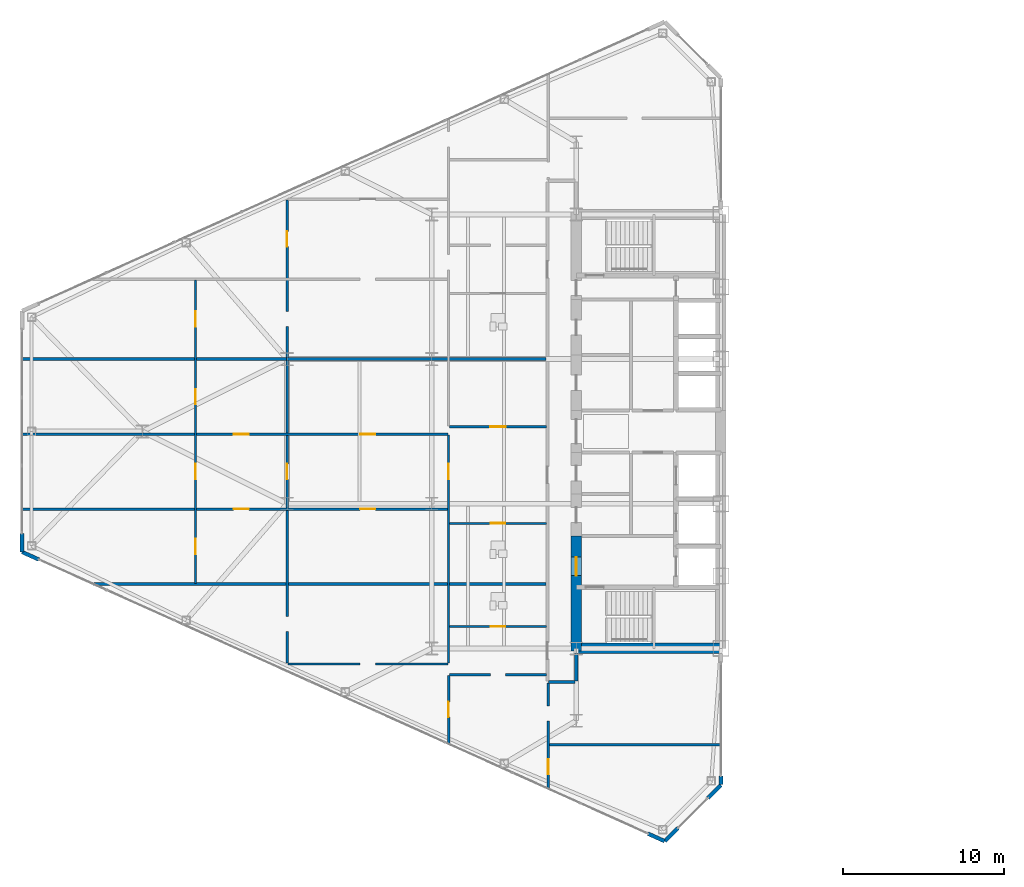
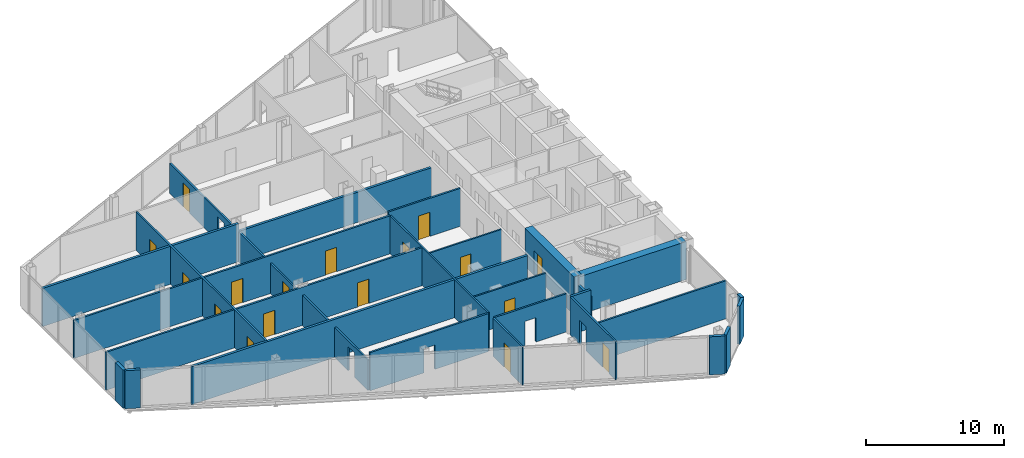
# One storey, part 19 of 27: 26 walls, 17 doors, 22 openings.
"""IFC4 building model written with IfcOpenShell, lengths in metres."""

from ifc_helpers import new_model, si_unit, direction, frame, frame_2d, origin, place, context, subcontext, project, spatial, rectangle, extrude, source, transform, mapped, material, layer, layer_set, type_object, type_shapes, element, fill, save


model = new_model("IFC4")

# Units and contexts
model_context = context("Model", 3, precision=1e-05, world=origin(), true_north=direction((0.0, 1.0)))
body_context = subcontext(model_context, "Body", "Model", "MODEL_VIEW")
ifc_project = project(units=[si_unit("LENGTHUNIT", "METRE"), si_unit("AREAUNIT", "SQUARE_METRE"), si_unit("VOLUMEUNIT", "CUBIC_METRE"), si_unit("PLANEANGLEUNIT", "RADIAN"), si_unit("MASSUNIT", "GRAM", prefix="KILO")], contexts=[model_context])

# Site, building, storey
site_placement = place(None, origin())
site = spatial("IfcSite", under=ifc_project, at=site_placement, CompositionType="ELEMENT")
building_placement = place(site_placement, origin())
building = spatial("IfcBuilding", under=site, at=building_placement, Name="Seokmaru Belvedere", CompositionType="ELEMENT")
storey_placement = place(building_placement, frame((0.0, 0.0, 69.300048828125)))
storey = spatial("IfcBuildingStorey", under=building, at=storey_placement, Name="L18", CompositionType="ELEMENT", Elevation=69.300048828125)

# Wall
ifc_material_1 = material(Name="Fire-Rated Gypsum Shaftwall")
ifc_layer_1 = layer(ifc_material_1, 0.14990234375)
ifc_layer_set_1 = layer_set([ifc_layer_1], Name="Fire-Rated Gypsum Shaftwall")
wall_type_1 = type_object("IfcWallType", Name="Apartment Fire-Acoustic Room Partition 150", PredefinedType="PARTITIONING", material=ifc_layer_set_1)
wall_1_placement = place(storey_placement, frame((-38.199951171875, -19.5, 0.0), z_axis=(0.0, 0.0, 1.0), x_axis=(1.0, 0.0, 0.0)))
element("IfcWall", 1, at=wall_1_placement, inside=storey, type_object=wall_type_1, Name="L18 Interior Partition 001", PredefinedType="PARTITIONING", context=body_context, shape_type="SweptSolid", body=[
    extrude(rectangle(XDim=10.73486328125, YDim=0.14990234375, at=frame_2d((5.367431640625, 0.0))), origin(), (0.0, 0.0, 1.0), 3.3798828125),
])

# Wall, opening
wall_2_placement = place(storey_placement, frame((-44.39990234375, -15.139892578125, 0.0), z_axis=(0.0, 0.0, 1.0), x_axis=(1.0, 0.0, 0.0)))
wall_2 = element("IfcWall", 2, at=wall_2_placement, inside=storey, type_object=wall_type_1, Name="L18 Interior Partition 004", PredefinedType="PARTITIONING", context=body_context, shape_type="SweptSolid", body=[
    extrude(rectangle(XDim=6.0498046875, YDim=0.14990234375, at=frame_2d((3.02490234375, 0.0))), origin(), (0.0, 0.0, 1.0), 3.3798828125),
])
opening_1_placement = place(wall_2_placement, frame((2.550048828125, 0.0, 0.0)))
element("IfcOpeningElement", 3, at=opening_1_placement, cuts=wall_2, Name="L18 Cased Opening 003", PredefinedType="OPENING", context=body_context, shape_type="SweptSolid", body=[
    extrude(rectangle(XDim=0.949951171875, YDim=2.14990234375, at=frame_2d((0.47509765625, 1.074951171875))), frame((0.0, 0.0849609375, 0.0), z_axis=(0.0, -1.0, 0.0), x_axis=(1.0, 0.0, 0.0)), (0.0, 0.0, 1.0), 0.169921875),
])

wall_3_placement = place(storey_placement, frame((-54.449951171875, -14.469970703125, 0.0), z_axis=(0.0, 0.0, 1.0), x_axis=(1.0, 0.0, 0.0)))
wall_3 = element("IfcWall", 4, at=wall_3_placement, inside=storey, type_object=wall_type_1, Name="L18 Interior Partition 005", PredefinedType="PARTITIONING", context=body_context, shape_type="SweptSolid", body=[
    extrude(rectangle(XDim=9.949951171875, YDim=0.14990234375, at=frame_2d((4.97509765625, 0.0))), origin(), (0.0, 0.0, 1.0), 3.3798828125),
])
opening_2_placement = place(wall_3_placement, frame((4.5, 0.0, 0.0)))
element("IfcOpeningElement", 5, at=opening_2_placement, cuts=wall_3, Name="L18 Cased Opening 007", PredefinedType="OPENING", context=body_context, shape_type="SweptSolid", body=[
    extrude(rectangle(XDim=0.949951171875, YDim=2.14990234375, at=frame_2d((0.47509765625, 1.074951171875))), frame((0.0, 0.0849609375, 0.0), z_axis=(0.0, -1.0, 0.0), x_axis=(1.0, 0.0, 0.0)), (0.0, 0.0, 1.0), 0.169921875),
])

# Wall, openings, doors
wall_4_placement = place(storey_placement, frame((-71.034912109375, -4.830078125, 0.0), z_axis=(0.0, 0.0, 1.0), x_axis=(1.0, 0.0, 0.0)))
wall_4 = element("IfcWall", 6, at=wall_4_placement, inside=storey, type_object=wall_type_1, Name="L18 Interior Partition 010", PredefinedType="PARTITIONING", context=body_context, shape_type="SweptSolid", body=[
    extrude(rectangle(XDim=26.534912109375, YDim=0.14990234375, at=frame_2d((13.267578125, 0.0))), origin(), (0.0, 0.0, 1.0), 3.3798828125),
])
opening_3_placement = place(wall_4_placement, frame((21.0849609375, 0.0, 0.0)))
opening_3 = element("IfcOpeningElement", 7, at=opening_3_placement, cuts=wall_4, Name="Opening D05", PredefinedType="OPENING", context=body_context, shape_type="SweptSolid", body=[
    extrude(rectangle(XDim=0.949951171875, YDim=2.14990234375, at=frame_2d((0.47509765625, 1.074951171875))), frame((0.0, 0.0849609375, 0.0), z_axis=(0.0, -1.0, 0.0), x_axis=(1.0, 0.0, 0.0)), (0.0, 0.0, 1.0), 0.169921875),
])
opening_4_placement = place(wall_4_placement, frame((13.2099609375, 0.0, 0.0)))
opening_4 = element("IfcOpeningElement", 8, at=opening_4_placement, cuts=wall_4, Name="Opening D05", PredefinedType="OPENING", context=body_context, shape_type="SweptSolid", body=[
    extrude(rectangle(XDim=0.949951171875, YDim=2.14990234375, at=frame_2d((0.47509765625, 1.074951171875))), frame((0.0, 0.0849609375, 0.0), z_axis=(0.0, -1.0, 0.0), x_axis=(1.0, 0.0, 0.0)), (0.0, 0.0, 1.0), 0.169921875),
])
ifc_material_2 = material(Name="Engineered White Oak Timber", Category="wood")
door_type_1 = type_object("IfcDoorType", Name="Apartment Interior Fire-Rated Oak Door 950x2150", OperationType="NOTDEFINED", PredefinedType="DOOR", material=ifc_material_2)
shared_shape_1 = source(origin(), body_context, "Body", "SweptSolid", [
    extrude(rectangle(XDim=0.949951171875, YDim=2.14990234375, at=frame_2d((0.47509765625, 1.074951171875))), frame((0.0, 0.02490234375, 0.0), z_axis=(0.0, -1.0, 0.0), x_axis=(1.0, 0.0, 0.0)), (0.0, 0.0, 1.0), 0.050048828125),
])
type_shapes(door_type_1, [shared_shape_1])
door_1_placement = place(opening_3_placement, origin())
door_1 = element("IfcDoor", 9, at=door_1_placement, inside=storey, type_object=door_type_1, Name="L18 Interior Door 014", OperationType="SINGLE_SWING_RIGHT", OverallHeight=2.14990234375, OverallWidth=0.949951171875, PredefinedType="DOOR", context=body_context, shape_type="MappedRepresentation", body=[
    mapped(shared_shape_1, transform((0.0, 0.0, 0.0), scale=1.0)),
])
fill(opening_3, door_1)
door_2_placement = place(opening_4_placement, origin())
door_2 = element("IfcDoor", 10, at=door_2_placement, inside=storey, type_object=door_type_1, Name="L18 Interior Door 016", OperationType="SINGLE_SWING_LEFT", OverallHeight=2.14990234375, OverallWidth=0.949951171875, PredefinedType="DOOR", context=body_context, shape_type="MappedRepresentation", body=[
    mapped(shared_shape_1, transform((0.0, 0.0, 0.0), scale=1.0)),
])
fill(opening_4, door_2)

wall_5_placement = place(storey_placement, frame((-71.034912109375, -0.169921875, 0.0), z_axis=(0.0, 0.0, 1.0), x_axis=(1.0, 0.0, 0.0)))
wall_5 = element("IfcWall", 11, at=wall_5_placement, inside=storey, type_object=wall_type_1, Name="L18 Interior Partition 013", PredefinedType="PARTITIONING", context=body_context, shape_type="SweptSolid", body=[
    extrude(rectangle(XDim=26.534912109375, YDim=0.14990234375, at=frame_2d((13.267578125, 0.0))), origin(), (0.0, 0.0, 1.0), 3.3798828125),
])
opening_5_placement = place(wall_5_placement, frame((21.0849609375, 0.0, 0.0)))
opening_5 = element("IfcOpeningElement", 12, at=opening_5_placement, cuts=wall_5, Name="Opening D05", PredefinedType="OPENING", context=body_context, shape_type="SweptSolid", body=[
    extrude(rectangle(XDim=0.949951171875, YDim=2.14990234375, at=frame_2d((0.47509765625, 1.074951171875))), frame((0.0, 0.0849609375, 0.0), z_axis=(0.0, -1.0, 0.0), x_axis=(1.0, 0.0, 0.0)), (0.0, 0.0, 1.0), 0.169921875),
])
opening_6_placement = place(wall_5_placement, frame((13.2099609375, 0.0, 0.0)))
opening_6 = element("IfcOpeningElement", 13, at=opening_6_placement, cuts=wall_5, Name="Opening D05", PredefinedType="OPENING", context=body_context, shape_type="SweptSolid", body=[
    extrude(rectangle(XDim=0.949951171875, YDim=2.14990234375, at=frame_2d((0.47509765625, 1.074951171875))), frame((0.0, 0.0849609375, 0.0), z_axis=(0.0, -1.0, 0.0), x_axis=(1.0, 0.0, 0.0)), (0.0, 0.0, 1.0), 0.169921875),
])
door_3_placement = place(opening_5_placement, origin())
door_3 = element("IfcDoor", 14, at=door_3_placement, inside=storey, type_object=door_type_1, Name="L18 Interior Door 015", OperationType="SINGLE_SWING_LEFT", OverallHeight=2.14990234375, OverallWidth=0.949951171875, PredefinedType="DOOR", context=body_context, shape_type="MappedRepresentation", body=[
    mapped(shared_shape_1, transform((0.0, 0.0, 0.0), scale=1.0)),
])
fill(opening_5, door_3)
door_4_placement = place(opening_6_placement, origin())
door_4 = element("IfcDoor", 15, at=door_4_placement, inside=storey, type_object=door_type_1, Name="L18 Interior Door 019", OperationType="SINGLE_SWING_LEFT", OverallHeight=2.14990234375, OverallWidth=0.949951171875, PredefinedType="DOOR", context=body_context, shape_type="MappedRepresentation", body=[
    mapped(shared_shape_1, transform((0.0, 0.0, 0.0), scale=1.0)),
])
fill(opening_6, door_4)

# Wall, opening, door
wall_6_placement = place(storey_placement, frame((-44.39990234375, 0.300048828125, 0.0), z_axis=(0.0, 0.0, 1.0), x_axis=(1.0, 0.0, 0.0)))
wall_6 = element("IfcWall", 16, at=wall_6_placement, inside=storey, type_object=wall_type_1, Name="L18 Interior Partition 014", PredefinedType="PARTITIONING", context=body_context, shape_type="SweptSolid", body=[
    extrude(rectangle(XDim=6.0498046875, YDim=0.14990234375, at=frame_2d((3.02490234375, 0.0))), origin(), (0.0, 0.0, 1.0), 3.3798828125),
])
opening_7_placement = place(wall_6_placement, frame((2.550048828125, 0.0, 0.0)))
opening_7 = element("IfcOpeningElement", 17, at=opening_7_placement, cuts=wall_6, Name="Opening D05", PredefinedType="OPENING", context=body_context, shape_type="SweptSolid", body=[
    extrude(rectangle(XDim=0.949951171875, YDim=2.14990234375, at=frame_2d((0.47509765625, 1.074951171875))), frame((0.0, 0.0849609375, 0.0), z_axis=(0.0, -1.0, 0.0), x_axis=(1.0, 0.0, 0.0)), (0.0, 0.0, 1.0), 0.169921875),
])
door_5_placement = place(opening_7_placement, origin())
door_5 = element("IfcDoor", 18, at=door_5_placement, inside=storey, type_object=door_type_1, Name="L18 Interior Door 011", OperationType="SINGLE_SWING_LEFT", OverallHeight=2.14990234375, OverallWidth=0.949951171875, PredefinedType="DOOR", context=body_context, shape_type="MappedRepresentation", body=[
    mapped(shared_shape_1, transform((0.0, 0.0, 0.0), scale=1.0)),
])
fill(opening_7, door_5)

# Wall, openings, doors
wall_7_placement = place(storey_placement, frame((-60.199951171875, -9.449951171875, 0.0), z_axis=(0.0, 0.0, 1.0), x_axis=(0.0, 1.0, 0.0)))
wall_7 = element("IfcWall", 19, at=wall_7_placement, inside=storey, type_object=wall_type_1, Name="L18 Interior Partition 033", PredefinedType="PARTITIONING", context=body_context, shape_type="SweptSolid", body=[
    extrude(rectangle(XDim=18.883056640625, YDim=0.14990234375, at=frame_2d((9.44140625, 0.0))), origin(), (0.0, 0.0, 1.0), 3.3798828125),
])
opening_8_placement = place(wall_7_placement, frame((1.808349609375, 0.0, 0.0)))
opening_8 = element("IfcOpeningElement", 20, at=opening_8_placement, cuts=wall_7, Name="Opening D05", PredefinedType="OPENING", context=body_context, shape_type="SweptSolid", body=[
    extrude(rectangle(XDim=0.949951171875, YDim=2.14990234375, at=frame_2d((0.47509765625, 1.074951171875))), frame((0.0, 0.0849609375, 0.0), z_axis=(0.0, -1.0, 0.0), x_axis=(1.0, 0.0, 0.0)), (0.0, 0.0, 1.0), 0.169921875),
])
opening_9_placement = place(wall_7_placement, frame((6.47509765625, 0.0, 0.0)))
opening_9 = element("IfcOpeningElement", 21, at=opening_9_placement, cuts=wall_7, Name="Opening D05", PredefinedType="OPENING", context=body_context, shape_type="SweptSolid", body=[
    extrude(rectangle(XDim=0.949951171875, YDim=2.14990234375, at=frame_2d((0.47509765625, 1.074951171875))), frame((0.0, 0.0849609375, 0.0), z_axis=(0.0, -1.0, 0.0), x_axis=(1.0, 0.0, 0.0)), (0.0, 0.0, 1.0), 0.169921875),
])
opening_10_placement = place(wall_7_placement, frame((11.1416015625, 0.0, 0.0)))
opening_10 = element("IfcOpeningElement", 22, at=opening_10_placement, cuts=wall_7, Name="Opening D05", PredefinedType="OPENING", context=body_context, shape_type="SweptSolid", body=[
    extrude(rectangle(XDim=0.949951171875, YDim=2.14990234375, at=frame_2d((0.47509765625, 1.074951171875))), frame((0.0, 0.0849609375, 0.0), z_axis=(0.0, -1.0, 0.0), x_axis=(1.0, 0.0, 0.0)), (0.0, 0.0, 1.0), 0.169921875),
])
opening_11_placement = place(wall_7_placement, frame((15.96630859375, 0.0, 0.0)))
opening_11 = element("IfcOpeningElement", 23, at=opening_11_placement, cuts=wall_7, Name="Opening D05", PredefinedType="OPENING", context=body_context, shape_type="SweptSolid", body=[
    extrude(rectangle(XDim=0.949951171875, YDim=2.14990234375, at=frame_2d((0.47509765625, 1.074951171875))), frame((0.0, 0.0849609375, 0.0), z_axis=(0.0, -1.0, 0.0), x_axis=(1.0, 0.0, 0.0)), (0.0, 0.0, 1.0), 0.169921875),
])
door_6_placement = place(opening_8_placement, origin())
door_6 = element("IfcDoor", 24, at=door_6_placement, inside=storey, type_object=door_type_1, Name="L18 Interior Door 017", OperationType="SINGLE_SWING_RIGHT", OverallHeight=2.14990234375, OverallWidth=0.949951171875, PredefinedType="DOOR", context=body_context, shape_type="MappedRepresentation", body=[
    mapped(shared_shape_1, transform((0.0, 0.0, 0.0), scale=1.0)),
])
fill(opening_8, door_6)
door_7_placement = place(opening_9_placement, origin())
door_7 = element("IfcDoor", 25, at=door_7_placement, inside=storey, type_object=door_type_1, Name="L18 Interior Door 018", OperationType="SINGLE_SWING_RIGHT", OverallHeight=2.14990234375, OverallWidth=0.949951171875, PredefinedType="DOOR", context=body_context, shape_type="MappedRepresentation", body=[
    mapped(shared_shape_1, transform((0.0, 0.0, 0.0), scale=1.0)),
])
fill(opening_9, door_7)
door_8_placement = place(opening_10_placement, origin())
door_8 = element("IfcDoor", 26, at=door_8_placement, inside=storey, type_object=door_type_1, Name="L18 Interior Door 020", OperationType="SINGLE_SWING_RIGHT", OverallHeight=2.14990234375, OverallWidth=0.949951171875, PredefinedType="DOOR", context=body_context, shape_type="MappedRepresentation", body=[
    mapped(shared_shape_1, transform((0.0, 0.0, 0.0), scale=1.0)),
])
fill(opening_10, door_8)
door_9_placement = place(opening_11_placement, origin())
door_9 = element("IfcDoor", 27, at=door_9_placement, inside=storey, type_object=door_type_1, Name="L18 Interior Door 029", OperationType="SINGLE_SWING_RIGHT", OverallHeight=2.14990234375, OverallWidth=0.949951171875, PredefinedType="DOOR", context=body_context, shape_type="MappedRepresentation", body=[
    mapped(shared_shape_1, transform((0.0, 0.0, 0.0), scale=1.0)),
])
fill(opening_11, door_9)

wall_8_placement = place(storey_placement, frame((-54.5, -14.424072265625, 0.0), z_axis=(0.0, 0.0, 1.0), x_axis=(0.0, 1.0, 0.0)))
wall_8 = element("IfcWall", 28, at=wall_8_placement, inside=storey, type_object=wall_type_1, Name="L18 Interior Partition 034", PredefinedType="PARTITIONING", context=body_context, shape_type="SweptSolid", body=[
    extrude(rectangle(XDim=28.839111328125, YDim=0.14990234375, at=frame_2d((14.41943359375, 0.0))), origin(), (0.0, 0.0, 1.0), 2.679931640625),
])
opening_12_placement = place(wall_8_placement, frame((1.962158203125, 0.0, 0.0)))
element("IfcOpeningElement", 29, at=opening_12_placement, cuts=wall_8, Name="L18 Cased Opening 008", PredefinedType="OPENING", context=body_context, shape_type="SweptSolid", body=[
    extrude(rectangle(XDim=0.949951171875, YDim=2.14990234375, at=frame_2d((0.47509765625, 1.074951171875))), frame((0.0, 0.0849609375, 0.0), z_axis=(0.0, -1.0, 0.0), x_axis=(1.0, 0.0, 0.0)), (0.0, 0.0, 1.0), 0.169921875),
])
opening_13_placement = place(wall_8_placement, frame((11.448974609375, 0.0, 0.0)))
opening_13 = element("IfcOpeningElement", 30, at=opening_13_placement, cuts=wall_8, Name="Opening D05", PredefinedType="OPENING", context=body_context, shape_type="SweptSolid", body=[
    extrude(rectangle(XDim=0.949951171875, YDim=2.14990234375, at=frame_2d((0.47509765625, 1.074951171875))), frame((0.0, 0.0849609375, 0.0), z_axis=(0.0, -1.0, 0.0), x_axis=(1.0, 0.0, 0.0)), (0.0, 0.0, 1.0), 0.169921875),
])
opening_14_placement = place(wall_8_placement, frame((25.922607421875, 0.0, 0.0)))
opening_14 = element("IfcOpeningElement", 31, at=opening_14_placement, cuts=wall_8, Name="Opening D05", PredefinedType="OPENING", context=body_context, shape_type="SweptSolid", body=[
    extrude(rectangle(XDim=0.949951171875, YDim=2.14990234375, at=frame_2d((0.47509765625, 1.074951171875))), frame((0.0, 0.0849609375, 0.0), z_axis=(0.0, -1.0, 0.0), x_axis=(1.0, 0.0, 0.0)), (0.0, 0.0, 1.0), 0.169921875),
])
opening_15_placement = place(wall_8_placement, frame((20.940185546875, 0.0, 0.0)))
element("IfcOpeningElement", 32, at=opening_15_placement, cuts=wall_8, Name="L18 Cased Opening 028", PredefinedType="OPENING", context=body_context, shape_type="SweptSolid", body=[
    extrude(rectangle(XDim=0.949951171875, YDim=2.14990234375, at=frame_2d((0.47509765625, 1.074951171875))), frame((0.0, 0.0849609375, 0.0), z_axis=(0.0, -1.0, 0.0), x_axis=(1.0, 0.0, 0.0)), (0.0, 0.0, 1.0), 0.169921875),
])
door_10_placement = place(opening_13_placement, origin())
door_10 = element("IfcDoor", 33, at=door_10_placement, inside=storey, type_object=door_type_1, Name="L18 Interior Door 013", OperationType="SINGLE_SWING_LEFT", OverallHeight=2.14990234375, OverallWidth=0.949951171875, PredefinedType="DOOR", context=body_context, shape_type="MappedRepresentation", body=[
    mapped(shared_shape_1, transform((0.0, 0.0, 0.0), scale=1.0)),
])
fill(opening_13, door_10)
door_11_placement = place(opening_14_placement, origin())
door_11 = element("IfcDoor", 34, at=door_11_placement, inside=storey, type_object=door_type_1, Name="L18 Interior Door 025", OperationType="SINGLE_SWING_RIGHT", OverallHeight=2.14990234375, OverallWidth=0.949951171875, PredefinedType="DOOR", context=body_context, shape_type="MappedRepresentation", body=[
    mapped(shared_shape_1, transform((0.0, 0.0, 0.0), scale=1.0)),
])
fill(opening_14, door_11)

# Wall, opening, door
wall_9_placement = place(storey_placement, frame((-44.449951171875, -19.48291015625, 0.0), z_axis=(0.0, 0.0, 1.0), x_axis=(0.0, 1.0, 0.0)))
wall_9 = element("IfcWall", 35, at=wall_9_placement, inside=storey, type_object=wall_type_1, Name="L18 Interior Partition 035", PredefinedType="PARTITIONING", context=body_context, shape_type="SweptSolid", body=[
    extrude(rectangle(XDim=4.287841796875, YDim=0.14990234375, at=frame_2d((2.14404296875, 0.0))), origin(), (0.0, 0.0, 1.0), 3.3798828125),
])
opening_16_placement = place(wall_9_placement, frame((1.711669921875, 0.0, 0.0)))
opening_16 = element("IfcOpeningElement", 36, at=opening_16_placement, cuts=wall_9, Name="Opening D05", PredefinedType="OPENING", context=body_context, shape_type="SweptSolid", body=[
    extrude(rectangle(XDim=0.949951171875, YDim=2.14990234375, at=frame_2d((0.47509765625, 1.074951171875))), frame((0.0, 0.0849609375, 0.0), z_axis=(0.0, -1.0, 0.0), x_axis=(1.0, 0.0, 0.0)), (0.0, 0.0, 1.0), 0.169921875),
])
door_12_placement = place(opening_16_placement, origin())
door_12 = element("IfcDoor", 37, at=door_12_placement, inside=storey, type_object=door_type_1, Name="L18 Interior Door 004", OperationType="SINGLE_SWING_RIGHT", OverallHeight=2.14990234375, OverallWidth=0.949951171875, PredefinedType="DOOR", context=body_context, shape_type="MappedRepresentation", body=[
    mapped(shared_shape_1, transform((0.0, 0.0, 0.0), scale=1.0)),
])
fill(opening_16, door_12)

# Wall, openings, door
wall_10_placement = place(storey_placement, frame((-38.25, -22.27294921875, 0.0), z_axis=(0.0, 0.0, 1.0), x_axis=(0.0, 1.0, 0.0)))
wall_10 = element("IfcWall", 38, at=wall_10_placement, inside=storey, type_object=wall_type_1, Name="L18 Interior Partition 039", PredefinedType="PARTITIONING", context=body_context, shape_type="SweptSolid", body=[
    extrude(rectangle(XDim=6.623046875, YDim=0.14990234375, at=frame_2d((3.3115234375, 0.0))), origin(), (0.0, 0.0, 1.0), 3.3798828125),
])
opening_17_placement = place(wall_10_placement, frame((0.92919921875, 0.0, 0.0)))
opening_17 = element("IfcOpeningElement", 39, at=opening_17_placement, cuts=wall_10, Name="Opening D05", PredefinedType="OPENING", context=body_context, shape_type="SweptSolid", body=[
    extrude(rectangle(XDim=0.949951171875, YDim=2.14990234375, at=frame_2d((0.47509765625, 1.074951171875))), frame((0.0, 0.0849609375, 0.0), z_axis=(0.0, -1.0, 0.0), x_axis=(1.0, 0.0, 0.0)), (0.0, 0.0, 1.0), 0.169921875),
])
opening_18_placement = place(wall_10_placement, frame((4.248046875, 0.0, 0.0)))
element("IfcOpeningElement", 40, at=opening_18_placement, cuts=wall_10, Name="L18 Cased Opening 006", PredefinedType="OPENING", context=body_context, shape_type="SweptSolid", body=[
    extrude(rectangle(XDim=0.949951171875, YDim=2.14990234375, at=frame_2d((0.47509765625, 1.074951171875))), frame((0.0, 0.0849609375, 0.0), z_axis=(0.0, -1.0, 0.0), x_axis=(1.0, 0.0, 0.0)), (0.0, 0.0, 1.0), 0.169921875),
])
door_13_placement = place(opening_17_placement, origin())
door_13 = element("IfcDoor", 41, at=door_13_placement, inside=storey, type_object=door_type_1, Name="L18 Interior Door 005", OperationType="SINGLE_SWING_LEFT", OverallHeight=2.14990234375, OverallWidth=0.949951171875, PredefinedType="DOOR", context=body_context, shape_type="MappedRepresentation", body=[
    mapped(shared_shape_1, transform((0.0, 0.0, 0.0), scale=1.0)),
])
fill(opening_17, door_13)

# Walls
ifc_layer_2 = layer(ifc_material_1, 0.199951171875)
ifc_layer_set_2 = layer_set([ifc_layer_2], Name="Fire-Rated Gypsum Shaftwall")
wall_type_2 = type_object("IfcWallType", Name="Inter-Tenancy Fire Compartment Partition 200", PredefinedType="PARTITIONING", material=ifc_layer_set_2)
wall_11_placement = place(storey_placement, frame((-38.215087890625, -15.60009765625, 0.0), z_axis=(0.0, 0.0, 1.0), x_axis=(1.0, 0.0, 0.0)))
element("IfcWall", 42, at=wall_11_placement, inside=storey, type_object=wall_type_2, Name="L18 Interior Partition 002", PredefinedType="PARTITIONING", context=body_context, shape_type="SweptSolid", body=[
    extrude(rectangle(XDim=1.630126953125, YDim=0.199951171875, at=frame_2d((0.81494140625, 0.0))), origin(), (0.0, 0.0, 1.0), 3.3798828125),
])
wall_12_placement = place(storey_placement, frame((-66.568115234375, -9.5, 0.0), z_axis=(0.0, 0.0, 1.0), x_axis=(1.0, 0.0, 0.0)))
element("IfcWall", 43, at=wall_12_placement, inside=storey, type_object=wall_type_2, Name="L18 Interior Partition 007", PredefinedType="PARTITIONING", context=body_context, shape_type="SweptSolid", body=[
    extrude(rectangle(XDim=28.188232421875, YDim=0.199951171875, at=frame_2d((14.09423828125, 0.0))), origin(), (0.0, 0.0, 1.0), 3.3798828125),
])
wall_13_placement = place(storey_placement, frame((-71.0048828125, 4.5, 0.0), z_axis=(0.0, 0.0, 1.0), x_axis=(1.0, 0.0, 0.0)))
element("IfcWall", 44, at=wall_13_placement, inside=storey, type_object=wall_type_2, Name="L18 Interior Partition 017", PredefinedType="PARTITIONING", context=body_context, shape_type="SweptSolid", body=[
    extrude(rectangle(XDim=16.48486328125, YDim=0.199951171875, at=frame_2d((8.242431640625, 0.0))), origin(), (0.0, 0.0, 1.0), 3.3798828125),
])
wall_14_placement = place(storey_placement, frame((-54.52001953125, 4.5, 0.0), z_axis=(0.0, 0.0, 1.0), x_axis=(1.0, 0.0, 0.0)))
element("IfcWall", 45, at=wall_14_placement, inside=storey, type_object=wall_type_2, Name="L18 Interior Partition 017 Part 2", PredefinedType="PARTITIONING", context=body_context, shape_type="SweptSolid", body=[
    extrude(rectangle(XDim=16.14013671875, YDim=0.199951171875, at=frame_2d((8.070068359375, 0.0))), origin(), (0.0, 0.0, 1.0), 2.679931640625),
])
wall_15_placement = place(storey_placement, frame((-36.5, -15.514892578125, 0.0), z_axis=(0.0, 0.0, 1.0), x_axis=(0.0, 1.0, 0.0)))
element("IfcWall", 46, at=wall_15_placement, inside=storey, type_object=wall_type_2, Name="L18 Interior Partition 041", PredefinedType="PARTITIONING", context=body_context, shape_type="SweptSolid", body=[
    extrude(rectangle(XDim=1.684814453125, YDim=0.199951171875, at=frame_2d((0.84228515625, 0.0))), origin(), (0.0, 0.0, 1.0), 2.679931640625),
])
ifc_material_3 = material(Name="Concrete C60 (60 MPa)", Category="concrete")
ifc_layer_3 = layer(ifc_material_3, 0.64990234375)
ifc_layer_set_3 = layer_set([ifc_layer_3], Name="Concrete C60 (60 MPa)")
wall_type_3 = type_object("IfcWallType", Name="Mid-Low Reinforced Concrete Core Wall 650", PredefinedType="SHEAR", material=ifc_layer_set_3)
wall_16_placement = place(storey_placement, frame((-36.5, -13.5, 0.0), z_axis=(0.0, 0.0, 1.0), x_axis=(1.0, 0.0, 0.0)))
element("IfcWall", 47, at=wall_16_placement, inside=storey, type_object=wall_type_3, Name="L18 West South Core Wall", PredefinedType="SHEAR", context=body_context, shape_type="SweptSolid", body=[
    extrude(rectangle(XDim=9.0, YDim=0.64990234375, at=frame_2d((4.5, 0.0))), origin(), (0.0, 0.0, 1.0), 3.3798828125),
])

# Wall, opening, door
wall_17_placement = place(storey_placement, frame((-36.5, -13.64990234375, 0.0), z_axis=(0.0, 0.0, 1.0), x_axis=(0.0, 1.0, 0.0)))
wall_17 = element("IfcWall", 48, at=wall_17_placement, inside=storey, type_object=wall_type_3, Name="L18 West West Core Wall FF", PredefinedType="SHEAR", context=body_context, shape_type="SweptSolid", body=[
    extrude(rectangle(XDim=7.14990234375, YDim=0.64990234375, at=frame_2d((3.574951171875, 0.0))), origin(), (0.0, 0.0, 1.0), 3.3798828125),
])
opening_19_placement = place(wall_17_placement, frame((4.675048828125, 0.0, 0.0)))
opening_19 = element("IfcOpeningElement", 49, at=opening_19_placement, cuts=wall_17, Name="Opening D02", PredefinedType="OPENING", context=body_context, shape_type="SweptSolid", body=[
    extrude(rectangle(XDim=1.14990234375, YDim=2.199951171875, at=frame_2d((0.574951171875, 1.10009765625))), frame((0.0, 0.3349609375, 0.0), z_axis=(0.0, -1.0, 0.0), x_axis=(1.0, 0.0, 0.0)), (0.0, 0.0, 1.0), 0.669921875),
])
ifc_material_4 = material(Name="Fire-Rated Steel Leaf", Category="steel")
door_type_2 = type_object("IfcDoorType", Name="Lobby and Vestibule Fire Door 1150x2200", OperationType="NOTDEFINED", PredefinedType="DOOR", material=ifc_material_4)
shared_shape_2 = source(origin(), body_context, "Body", "SweptSolid", [
    extrude(rectangle(XDim=1.14990234375, YDim=2.199951171875, at=frame_2d((0.574951171875, 1.10009765625))), frame((0.0, 0.02490234375, 0.0), z_axis=(0.0, -1.0, 0.0), x_axis=(1.0, 0.0, 0.0)), (0.0, 0.0, 1.0), 0.050048828125),
])
type_shapes(door_type_2, [shared_shape_2])
door_14_placement = place(opening_19_placement, frame((1.14990234375, 0.0, 0.0), z_axis=(0.0, 0.0, 1.0), x_axis=(-1.0, 0.0, 0.0)))
door_14 = element("IfcDoor", 50, at=door_14_placement, inside=storey, type_object=door_type_2, Name="L18 West Firefighting Lobby Door", OperationType="SINGLE_SWING_LEFT", OverallHeight=2.199951171875, OverallWidth=1.14990234375, PredefinedType="DOOR", context=body_context, shape_type="MappedRepresentation", body=[
    mapped(shared_shape_2, transform((0.0, 0.0, 0.0), scale=1.0)),
])
fill(opening_19, door_14)

ifc_layer_4 = layer(ifc_material_1, 0.1298828125)
ifc_layer_set_4 = layer_set([ifc_layer_4], Name="Fire-Rated Gypsum Shaftwall")
wall_type_4 = type_object("IfcWallType", Name="Moisture-Resistant Fire-Rated Bathroom Partition 130", PredefinedType="PARTITIONING", material=ifc_layer_set_4)
wall_18_placement = place(storey_placement, frame((-44.39990234375, -12.139892578125, 0.0), z_axis=(0.0, 0.0, 1.0), x_axis=(1.0, 0.0, 0.0)))
wall_18 = element("IfcWall", 51, at=wall_18_placement, inside=storey, type_object=wall_type_4, Name="L18 Interior Partition 006", PredefinedType="PARTITIONING", context=body_context, shape_type="SweptSolid", body=[
    extrude(rectangle(XDim=6.0498046875, YDim=0.1298828125, at=frame_2d((3.02490234375, 0.0))), origin(), (0.0, 0.0, 1.0), 3.3798828125),
])
opening_20_placement = place(wall_18_placement, frame((2.5849609375, 0.0, 0.0)))
opening_20 = element("IfcOpeningElement", 52, at=opening_20_placement, cuts=wall_18, Name="Opening D06", PredefinedType="OPENING", context=body_context, shape_type="SweptSolid", body=[
    extrude(rectangle(XDim=0.8798828125, YDim=2.10009765625, at=frame_2d((0.43994140625, 1.050048828125))), frame((0.0, 0.074951171875, 0.0), z_axis=(0.0, -1.0, 0.0), x_axis=(1.0, 0.0, 0.0)), (0.0, 0.0, 1.0), 0.14990234375),
])
door_type_3 = type_object("IfcDoorType", Name="Bathroom and Restroom Fire-Rated Door 880x2100", OperationType="NOTDEFINED", PredefinedType="DOOR", material=ifc_material_2)
shared_shape_3 = source(origin(), body_context, "Body", "SweptSolid", [
    extrude(rectangle(XDim=0.8798828125, YDim=2.10009765625, at=frame_2d((0.43994140625, 1.050048828125))), frame((0.0, 0.02490234375, 0.0), z_axis=(0.0, -1.0, 0.0), x_axis=(1.0, 0.0, 0.0)), (0.0, 0.0, 1.0), 0.050048828125),
])
type_shapes(door_type_3, [shared_shape_3])
door_15_placement = place(opening_20_placement, origin())
door_15 = element("IfcDoor", 53, at=door_15_placement, inside=storey, type_object=door_type_3, Name="L18 Interior Door 002", OperationType="SINGLE_SWING_LEFT", OverallHeight=2.10009765625, OverallWidth=0.8798828125, PredefinedType="DOOR", context=body_context, shape_type="MappedRepresentation", body=[
    mapped(shared_shape_3, transform((0.0, 0.0, 0.0), scale=1.0)),
])
fill(opening_20, door_15)

wall_19_placement = place(storey_placement, frame((-44.39990234375, -5.719970703125, 0.0), z_axis=(0.0, 0.0, 1.0), x_axis=(1.0, 0.0, 0.0)))
wall_19 = element("IfcWall", 54, at=wall_19_placement, inside=storey, type_object=wall_type_4, Name="L18 Interior Partition 009", PredefinedType="PARTITIONING", context=body_context, shape_type="SweptSolid", body=[
    extrude(rectangle(XDim=6.0498046875, YDim=0.1298828125, at=frame_2d((3.02490234375, 0.0))), origin(), (0.0, 0.0, 1.0), 3.3798828125),
])
opening_21_placement = place(wall_19_placement, frame((2.5849609375, 0.0, 0.0)))
opening_21 = element("IfcOpeningElement", 55, at=opening_21_placement, cuts=wall_19, Name="Opening D06", PredefinedType="OPENING", context=body_context, shape_type="SweptSolid", body=[
    extrude(rectangle(XDim=0.8798828125, YDim=2.10009765625, at=frame_2d((0.43994140625, 1.050048828125))), frame((0.0, 0.074951171875, 0.0), z_axis=(0.0, -1.0, 0.0), x_axis=(1.0, 0.0, 0.0)), (0.0, 0.0, 1.0), 0.14990234375),
])
door_16_placement = place(opening_21_placement, origin())
door_16 = element("IfcDoor", 56, at=door_16_placement, inside=storey, type_object=door_type_3, Name="L18 Interior Door 010", OperationType="SINGLE_SWING_LEFT", OverallHeight=2.10009765625, OverallWidth=0.8798828125, PredefinedType="DOOR", context=body_context, shape_type="MappedRepresentation", body=[
    mapped(shared_shape_3, transform((0.0, 0.0, 0.0), scale=1.0)),
])
fill(opening_21, door_16)

wall_20_placement = place(storey_placement, frame((-44.449951171875, -14.424072265625, 0.0), z_axis=(0.0, 0.0, 1.0), x_axis=(0.0, 1.0, 0.0)))
wall_20 = element("IfcWall", 57, at=wall_20_placement, inside=storey, type_object=wall_type_4, Name="L18 Interior Partition 036", PredefinedType="PARTITIONING", context=body_context, shape_type="SweptSolid", body=[
    extrude(rectangle(XDim=14.20703125, YDim=0.1298828125, at=frame_2d((7.103515625, 0.0))), origin(), (0.0, 0.0, 1.0), 3.3798828125),
])
opening_22_placement = place(wall_20_placement, frame((11.448974609375, 0.0, 0.0)))
opening_22 = element("IfcOpeningElement", 58, at=opening_22_placement, cuts=wall_20, Name="Opening D05", PredefinedType="OPENING", context=body_context, shape_type="SweptSolid", body=[
    extrude(rectangle(XDim=0.949951171875, YDim=2.14990234375, at=frame_2d((0.47509765625, 1.074951171875))), frame((0.0, 0.074951171875, 0.0), z_axis=(0.0, -1.0, 0.0), x_axis=(1.0, 0.0, 0.0)), (0.0, 0.0, 1.0), 0.14990234375),
])
door_17_placement = place(opening_22_placement, origin())
door_17 = element("IfcDoor", 59, at=door_17_placement, inside=storey, type_object=door_type_1, Name="L18 Interior Door 012", OperationType="SINGLE_SWING_RIGHT", OverallHeight=2.14990234375, OverallWidth=0.949951171875, PredefinedType="DOOR", context=body_context, shape_type="MappedRepresentation", body=[
    mapped(shared_shape_1, transform((0.0, 0.0, 0.0), scale=1.0)),
])
fill(opening_22, door_17)

# Walls
ifc_material_5 = material(Name="Anodised Bronze Aluminium", Category="aluminium")
ifc_layer_5 = layer(ifc_material_5, 0.239990234375)
ifc_layer_set_5 = layer_set([ifc_layer_5], Name="Anodised Bronze Aluminium")
wall_type_5 = type_object("IfcWallType", Name="Tower Corner Spandrel Closure Wall 240", PredefinedType="SOLIDWALL", material=ifc_layer_set_5)
wall_21_placement = place(storey_placement, frame((-27.5, -21.97998046875, 0.0), z_axis=(0.0, 0.0, 1.0), x_axis=(0.0, 1.0, 0.0)))
element("IfcWall", 60, at=wall_21_placement, inside=storey, type_object=wall_type_5, Name="L18 W Spine Closure Pier 1A", PredefinedType="SOLIDWALL", context=body_context, shape_type="SweptSolid", body=[
    extrude(rectangle(XDim=0.550048828125, YDim=0.239990234375, at=frame_2d((0.27490234375, 0.0))), origin(), (0.0, 0.0, 1.0), 3.3798828125),
])
for number, where, z_axis, x_axis, name in (
    (61, (-71.0, -6.35009765625, 0.0), (0.0, 0.0, 1.0), (0.0, -1.0, 0.0), "L18 W Corner Closure Pier 4B"),
    (62, (-70.990966796875, -7.504150390625, 0.0), (0.0, 0.0, 1.0), (0.911929519623, -0.410346866979, 0.0), "L18 W Corner Closure Pier 5A"),
    (63, (-32.048583984375, -25.028076171875, 0.0), (0.0, 0.0, 1.0), (0.911929519623, -0.410346866979, 0.0), "L18 W Corner Closure Pier 5B"),
):
    element("IfcWall", number, at=place(storey_placement, frame(where, z_axis=z_axis, x_axis=x_axis)), inside=storey, type_object=wall_type_5, Name=name, PredefinedType="SOLIDWALL", context=body_context, shape_type="SweptSolid", body=[
        extrude(rectangle(XDim=1.139892578125, YDim=0.239990234375, at=frame_2d((0.56982421875, 0.0))), origin(), (0.0, 0.0, 1.0), 3.3798828125),
    ])
for number, where, z_axis, x_axis, name in (
    (64, (-30.992919921875, -25.492919921875, 0.0), (0.0, 0.0, 1.0), (0.707106781187, 0.707106781187, 0.0), "L18 W Corner Closure Pier 6A"),
    (65, (-28.313232421875, -22.813232421875, 0.0), (0.0, 0.0, 1.0), (0.707106781187, 0.707106781187, 0.0), "L18 W Corner Closure Pier 6B"),
):
    element("IfcWall", number, at=place(storey_placement, frame(where, z_axis=z_axis, x_axis=x_axis)), inside=storey, type_object=wall_type_5, Name=name, PredefinedType="SOLIDWALL", context=body_context, shape_type="SweptSolid", body=[
        extrude(rectangle(XDim=1.14013671875, YDim=0.239990234375, at=frame_2d((0.570068359375, 0.0))), origin(), (0.0, 0.0, 1.0), 3.3798828125),
    ])

save(model, "model.ifc")
